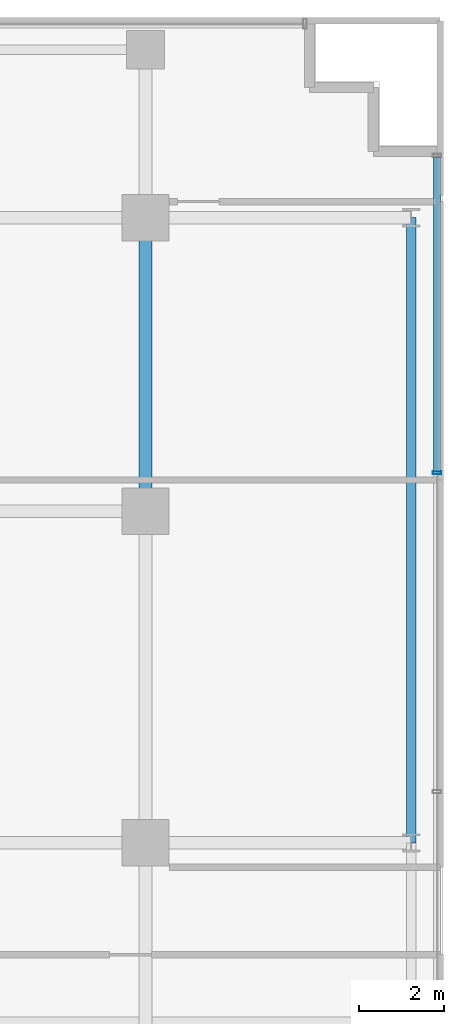
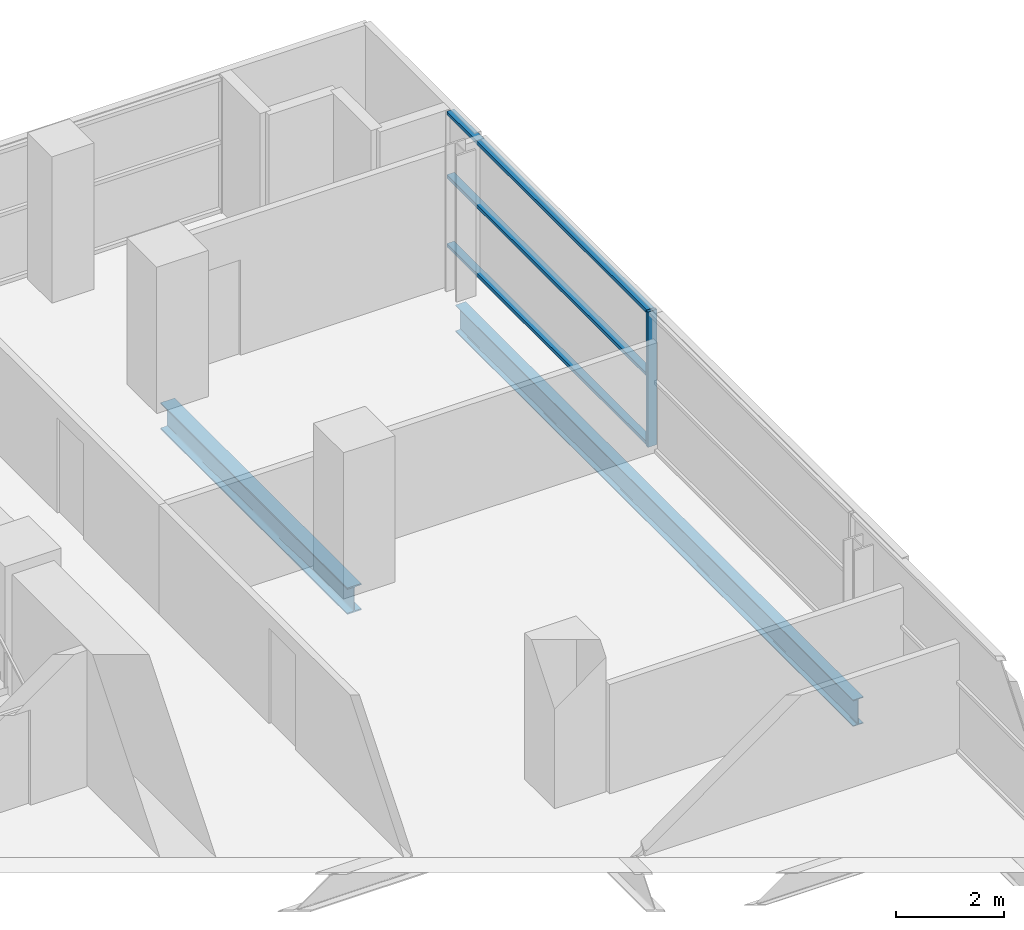
# One storey, part 16 of 30: 4 members, 2 beams, 1 element without a shape of its own.
"""IFC4 building model written with IfcOpenShell, lengths in metres."""

import ifcopenshell
import ifcopenshell.guid

model = None  # the IFC model being written
_history = None  # IfcOwnerHistory: only IFC2X3 demands one
_inside = {}  # id of a spatial element -> (the spatial element, [elements in it])
_under = {}  # id of a project, library or spatial element -> (it, [spatial elements below it])
_declared = {}  # id of a project -> (the project, [libraries it declares])
_typed = {}  # id of a type object -> (the type object, [elements of that type])
_made_of = {}  # id of a material, layer set ... -> (it, [elements and type objects made of it])


def new_model(schema):
    """Start an empty IFC model of exactly this schema.

    Asked for "IFC4X3", IfcOpenShell would pick the latest addendum, in which some entities
    have other attributes; the version numbers below select the first issue.
    IFC2X3 requires an IfcOwnerHistory on every rooted entity: one is made here for all.
    """
    global model, _history
    if schema == "IFC4X3":
        model = ifcopenshell.file(schema_version=(4, 3, 0, 0))
    else:
        model = ifcopenshell.file(schema=schema)
    _inside.clear()
    _under.clear()
    _declared.clear()
    _typed.clear()
    _made_of.clear()
    _history = None
    if model.schema == "IFC2X3":
        org = make("IfcOrganization", Name="unknown")
        user = make(
            "IfcPersonAndOrganization",
            ThePerson=make("IfcPerson", FamilyName="unknown"),
            TheOrganization=org,
        )
        app = make(
            "IfcApplication",
            ApplicationDeveloper=org,
            Version="unknown",
            ApplicationFullName="unknown",
            ApplicationIdentifier="unknown",
        )
        _history = make(
            "IfcOwnerHistory",
            OwningUser=user,
            OwningApplication=app,
            ChangeAction="ADDED",
            CreationDate=0,
        )
    return model


def make(cls, **values):
    """One entity of the class cls with the attributes given. An attribute that is None is left unset."""
    return model.create_entity(
        cls, **{name: value for name, value in values.items() if value is not None}
    )


def rooted(cls, **values):
    """An entity with a GlobalId (a new one), such as an element, a storey or a relation."""
    return make(cls, GlobalId=ifcopenshell.guid.new(), OwnerHistory=_history, **values)


def si_unit(unit_type, name, prefix=None):
    """IfcSIUnit, for example si_unit("LENGTHUNIT", "METRE", prefix="MILLI")."""
    return make("IfcSIUnit", UnitType=unit_type, Prefix=prefix, Name=name)


def assignment(units):
    """IfcUnitAssignment: the units of a project."""
    return None if units is None else make("IfcUnitAssignment", Units=units)


def point(xyz):
    """IfcCartesianPoint."""
    return None if xyz is None else make("IfcCartesianPoint", Coordinates=xyz)


def direction(xyz):
    """IfcDirection."""
    return None if xyz is None else make("IfcDirection", DirectionRatios=xyz)


def frame(location, z_axis=None, x_axis=None):
    """IfcAxis2Placement3D, a coordinate frame: its origin and axes. An axis left out is left unset."""
    return make(
        "IfcAxis2Placement3D",
        Location=point(location),
        Axis=direction(z_axis),
        RefDirection=direction(x_axis),
    )


def frame_2d(location, x_axis=None):
    """IfcAxis2Placement2D, a coordinate frame in the plane: its origin and x axis."""
    return make(
        "IfcAxis2Placement2D", Location=point(location), RefDirection=direction(x_axis)
    )


def origin():
    """The frame at (0, 0, 0) with its axes left unset."""
    return frame((0.0, 0.0, 0.0))


def origin_2d():
    """The frame at (0, 0) in the plane with its x axis left unset."""
    return frame_2d((0.0, 0.0))


def place(relative_to, where):
    """IfcLocalPlacement: puts the frame where relative to a parent placement (None: the world)."""
    return make(
        "IfcLocalPlacement", PlacementRelTo=relative_to, RelativePlacement=where
    )


def context(
    kind, dimensions, precision=None, world=None, true_north=None, identifier=None
):
    """IfcGeometricRepresentationContext, for example the 3D "Model" context."""
    return make(
        "IfcGeometricRepresentationContext",
        ContextIdentifier=identifier,
        ContextType=kind,
        CoordinateSpaceDimension=dimensions,
        Precision=precision,
        WorldCoordinateSystem=world,
        TrueNorth=true_north,
    )


def subcontext(parent, identifier, kind, view, scale=None):
    """IfcGeometricRepresentationSubContext, for example "Body" below "Model"."""
    return make(
        "IfcGeometricRepresentationSubContext",
        ContextIdentifier=identifier,
        ContextType=kind,
        ParentContext=parent,
        TargetScale=scale,
        TargetView=view,
    )


def project(units=None, contexts=None):
    """IfcProject with its units and contexts."""
    return rooted(
        "IfcProject",
        Name="project",
        RepresentationContexts=contexts,
        UnitsInContext=assignment(units),
    )


def spatial(cls, under=None, at=None, **own):
    """A site, building, storey or space (cls), placed at a placement, below another one or the project."""
    s = rooted(cls, ObjectPlacement=at, **own)
    if under is not None:
        _under.setdefault(under.id(), (under, []))[1].append(s)
    return s


def profile(cls, at=None, kind="AREA", **sizes):
    """A parametric profile (cls). Its sizes go by their IFC names, for example OverallWidth=200.0."""
    return make(cls, ProfileType=kind, Position=at, **sizes)


def hollow_rectangle(**sizes):
    """IfcRectangleHollowProfileDef."""
    return profile("IfcRectangleHollowProfileDef", **sizes)


def i_section(**sizes):
    """IfcIShapeProfileDef."""
    return profile("IfcIShapeProfileDef", **sizes)


def extrude(swept, where, along, depth):
    """IfcExtrudedAreaSolid: the profile swept, set in the frame where, extruded along a direction by depth."""
    return make(
        "IfcExtrudedAreaSolid",
        SweptArea=swept,
        Position=where,
        ExtrudedDirection=direction(along),
        Depth=depth,
    )


def shape(context_of_items, identifier, shape_type, items):
    """IfcShapeRepresentation: the items that make up one representation, for example the "Body"."""
    return make(
        "IfcShapeRepresentation",
        ContextOfItems=context_of_items,
        RepresentationIdentifier=identifier,
        RepresentationType=shape_type,
        Items=items,
    )


def source(mapping_origin, context_of_items, identifier, shape_type, items):
    """IfcRepresentationMap: a shape defined once, which mapped items show again and again."""
    return make(
        "IfcRepresentationMap",
        MappingOrigin=mapping_origin,
        MappedRepresentation=shape(context_of_items, identifier, shape_type, items),
    )


def transform(
    local_origin,
    x_axis=None,
    y_axis=None,
    z_axis=None,
    scale=None,
    scale2=None,
    scale3=None,
    uniform=True,
):
    """IfcCartesianTransformationOperator3D, or its non-uniform kind. x_axis, y_axis, z_axis: its Axis1, 2, 3."""
    if uniform:
        return make(
            "IfcCartesianTransformationOperator3D",
            Axis1=direction(x_axis),
            Axis2=direction(y_axis),
            LocalOrigin=point(local_origin),
            Scale=scale,
            Axis3=direction(z_axis),
        )
    return make(
        "IfcCartesianTransformationOperator3DnonUniform",
        Axis1=direction(x_axis),
        Axis2=direction(y_axis),
        LocalOrigin=point(local_origin),
        Scale=scale,
        Axis3=direction(z_axis),
        Scale2=scale2,
        Scale3=scale3,
    )


def mapped(mapping_source, mapping_target):
    """IfcMappedItem: shows the shape of a source again, moved by a transform."""
    return make(
        "IfcMappedItem", MappingSource=mapping_source, MappingTarget=mapping_target
    )


def material(Name=None, Category=None):
    """IfcMaterial."""
    return make("IfcMaterial", Name=Name, Category=Category)


def layer(
    of_material, thickness, ventilated=None, Name=None, Category=None, Priority=None
):
    """IfcMaterialLayer: one layer of a wall or slab, of a material (None: an air gap)."""
    return make(
        "IfcMaterialLayer",
        Material=of_material,
        LayerThickness=thickness,
        IsVentilated=ventilated,
        Name=Name,
        Category=Category,
        Priority=Priority,
    )


def layer_set(layers, Name=None):
    """IfcMaterialLayerSet."""
    return make("IfcMaterialLayerSet", MaterialLayers=layers, LayerSetName=Name)


def material_profile(
    of_material, cross_section, Name=None, Category=None, Priority=None
):
    """IfcMaterialProfile: a cross section and its material."""
    return make(
        "IfcMaterialProfile",
        Name=Name,
        Material=of_material,
        Profile=cross_section,
        Priority=Priority,
        Category=Category,
    )


def profile_set(profiles, Name=None, composite=None):
    """IfcMaterialProfileSet."""
    return make(
        "IfcMaterialProfileSet",
        Name=Name,
        MaterialProfiles=profiles,
        CompositeProfile=composite,
    )


def made_of(thing, what):
    """Note that an element or type object is made of a material, layer set ...; save() writes the relation."""
    if what is not None:
        _made_of.setdefault(what.id(), (what, []))[1].append(thing)
    return thing


def type_object(cls, material=None, **own):
    """A type object (cls), such as IfcWallType, which elements share."""
    return made_of(rooted(cls, **own), material)


def element(
    cls,
    number,
    at=None,
    inside=None,
    cuts=None,
    type_object=None,
    material=None,
    context=None,
    identifier="Body",
    shape_type=None,
    held_by="IfcProductDefinitionShape",
    body=None,
    shapes=None,
    **own,
):
    """One element of the class cls, such as IfcWall. Its Tag is "e" and its number.

    at: its placement. inside: the storey or other place that contains it. cuts: it is an
    opening in that element (IfcRelVoidsElement). A single representation is given by context,
    identifier, shape_type and body (its items); several are given by shapes. held_by: the class
    of the entity that holds the representations. save() writes the other relations.
    """
    e = rooted(cls, Tag="e%d" % number, ObjectPlacement=at, **own)
    if body is not None:
        shapes = [shape(context, identifier, shape_type, body)]
    if shapes is not None:
        e.Representation = make(held_by, Representations=shapes)
    if inside is not None:
        _inside.setdefault(inside.id(), (inside, []))[1].append(e)
    if cuts is not None:
        rooted(
            "IfcRelVoidsElement", RelatingBuildingElement=cuts, RelatedOpeningElement=e
        )
    if type_object is not None:
        _typed.setdefault(type_object.id(), (type_object, []))[1].append(e)
    return made_of(e, material)


def aggregate(whole, parts):
    """IfcRelAggregates: a whole, such as a stair, and the parts it consists of."""
    return rooted("IfcRelAggregates", RelatingObject=whole, RelatedObjects=parts)


def save(model, path):
    """Write the relations noted so far, then the file.

    IfcRelAggregates (storeys below a building ...), IfcRelContainedInSpatialStructure (elements
    in a storey), IfcRelDefinesByType, IfcRelAssociatesMaterial and IfcRelDeclares: one each for
    every whole, place, type object, material and project.
    """
    for whole, parts in _under.values():
        aggregate(whole, parts)
    for where, things in _inside.values():
        rooted(
            "IfcRelContainedInSpatialStructure",
            RelatedElements=things,
            RelatingStructure=where,
        )
    for kind, things in _typed.values():
        rooted("IfcRelDefinesByType", RelatedObjects=things, RelatingType=kind)
    for what, things in _made_of.values():
        rooted("IfcRelAssociatesMaterial", RelatedObjects=things, RelatingMaterial=what)
    for by, libraries in _declared.values():
        rooted("IfcRelDeclares", RelatingContext=by, RelatedDefinitions=libraries)
    model.write(path)


model = new_model("IFC4")

# Units and contexts
model_context = context("Model", 3, precision=1e-05, world=origin(), true_north=direction((0.0, 1.0)))
body_context = subcontext(model_context, "Body", "Model", "MODEL_VIEW")
ifc_project = project(units=[si_unit("LENGTHUNIT", "METRE"), si_unit("AREAUNIT", "SQUARE_METRE"), si_unit("VOLUMEUNIT", "CUBIC_METRE"), si_unit("PLANEANGLEUNIT", "RADIAN"), si_unit("MASSUNIT", "GRAM", prefix="KILO")], contexts=[model_context])

# Site, building, storey
site_placement = place(None, origin())
site = spatial("IfcSite", under=ifc_project, at=site_placement, CompositionType="ELEMENT")
building_placement = place(site_placement, origin())
building = spatial("IfcBuilding", under=site, at=building_placement, Name="Zarnakvel Exchange Tower", CompositionType="ELEMENT")
storey_placement = place(building_placement, frame((0.0, 0.0, 34.0)))
storey = spatial("IfcBuildingStorey", under=building, at=storey_placement, Name="L08", CompositionType="ELEMENT", Elevation=34.0)

# Beams
ifc_material_1 = material(Name="Steel S355", Category="steel")
ifc_material_profile_1 = material_profile(ifc_material_1, i_section(OverallWidth=0.300048828125, OverallDepth=0.60009765625, WebThickness=0.015380859375, FlangeThickness=0.030029296875, FilletRadius=0.027099609375, at=origin_2d()))
ifc_profile_set_1 = profile_set([ifc_material_profile_1], Name="Steel S355")
beam_type_1 = type_object("IfcBeamType", Name="G-04", PredefinedType="BEAM", material=ifc_profile_set_1)
beam_1_placement = place(storey_placement, frame((21.60009765625, 6.60009765625, -0.52490234375), z_axis=(0.0, 1.0, 0.0), x_axis=(-1.0, 0.0, 0.0)))
element("IfcBeam", 1, at=beam_1_placement, inside=storey, type_object=beam_type_1, Name="L08 Tower N-S Frame Beam", PredefinedType="BEAM", context=body_context, shape_type="SweptSolid", body=[
    extrude(i_section(OverallWidth=0.300048828125, OverallDepth=0.60009765625, WebThickness=0.015380859375, FlangeThickness=0.030029296875, FilletRadius=0.027099609375, at=origin_2d()), origin(), (0.0, 0.0, 1.0), 6.89990234375),
])
ifc_material_profile_2 = material_profile(ifc_material_1, i_section(OverallWidth=0.219970703125, OverallDepth=0.60009765625, WebThickness=0.011962890625, FlangeThickness=0.01904296875, FilletRadius=0.02392578125, at=origin_2d()))
ifc_profile_set_2 = profile_set([ifc_material_profile_2], Name="Steel S355")
beam_type_2 = type_object("IfcBeamType", Name="SP-01", PredefinedType="SPANDREL", material=ifc_profile_set_2)
beam_2_placement = place(storey_placement, frame((27.85009765625, -1.199951171875, -0.52490234375), z_axis=(0.0, 1.0, 0.0), x_axis=(-1.0, 0.0, 0.0)))
element("IfcBeam", 2, at=beam_2_placement, inside=storey, type_object=beam_type_2, Name="L08 Tower N-S Frame Beam", PredefinedType="SPANDREL", context=body_context, shape_type="SweptSolid", body=[
    extrude(i_section(OverallWidth=0.219970703125, OverallDepth=0.60009765625, WebThickness=0.011962890625, FlangeThickness=0.01904296875, FilletRadius=0.02392578125, at=origin_2d()), origin(), (0.0, 0.0, 1.0), 14.699951171875),
])

# Curtain wall, members
ifc_material_2 = material(Name="Architectural Bronze Anodised Aluminium", Category="aluminium")
ifc_layer = layer(ifc_material_2, 0.199951171875)
ifc_layer_set = layer_set([ifc_layer], Name="Architectural Bronze Anodised Aluminium")
curtain_wall_type = type_object("IfcCurtainWallType", Name="CW-04", PredefinedType="NOTDEFINED", material=ifc_layer_set)
curtain_wall_placement = place(storey_placement, origin())
curtain_wall = element("IfcCurtainWall", 3, at=curtain_wall_placement, inside=storey, type_object=curtain_wall_type, Name="L08 Curtain Wall CW-L08-E1 (CW-04)", PredefinedType="NOTDEFINED")
ifc_material_profile_3 = material_profile(ifc_material_2, hollow_rectangle(XDim=0.159912109375, YDim=0.074951171875, WallThickness=0.00390625, at=origin_2d()))
ifc_profile_set_3 = profile_set([ifc_material_profile_3], Name="Architectural Bronze Anodised Aluminium")
member_type_1 = type_object("IfcMemberType", Name="CWT-04", PredefinedType="USERDEFINED", material=ifc_profile_set_3)
shared_shape_1 = source(origin(), body_context, "Body", "SweptSolid", [
    extrude(hollow_rectangle(XDim=0.159912109375, YDim=0.074951171875, WallThickness=0.00390625, at=origin_2d()), origin(), (0.0, 0.0, 1.0), 7.387451171875),
])
member_1_placement = place(storey_placement, frame((28.4599609375, 7.53759765625, 0.03759765625), z_axis=(0.0, 1.0, 0.0), x_axis=(-1.0, 0.0, 0.0)))
member_1 = element("IfcMember", 4, at=member_1_placement, type_object=member_type_1, Name="CW-04 transom 4.1", ObjectType="TRANSOM", PredefinedType="USERDEFINED", context=body_context, shape_type="MappedRepresentation", body=[
    mapped(shared_shape_1, transform((0.0, 0.0, 0.0), x_axis=(1.0, 0.0, 0.0), y_axis=(0.0, 1.0, 0.0), z_axis=(0.0, 0.0, 1.0), scale=1.0)),
])
member_2_placement = place(storey_placement, frame((28.4599609375, 7.53759765625, 1.588623046875), z_axis=(0.0, 1.0, 0.0), x_axis=(-1.0, 0.0, 0.0)))
member_2 = element("IfcMember", 5, at=member_2_placement, type_object=member_type_1, Name="CW-04 transom 4.2", ObjectType="TRANSOM", PredefinedType="USERDEFINED", context=body_context, shape_type="MappedRepresentation", body=[
    mapped(shared_shape_1, transform((0.0, 0.0, 0.0), x_axis=(1.0, 0.0, 0.0), y_axis=(0.0, 1.0, 0.0), z_axis=(0.0, 0.0, 1.0), scale=1.0)),
])
member_3_placement = place(storey_placement, frame((28.4599609375, 7.53759765625, 3.017578125), z_axis=(0.0, 1.0, 0.0), x_axis=(-1.0, 0.0, 0.0)))
member_3 = element("IfcMember", 6, at=member_3_placement, type_object=member_type_1, Name="CW-04 transom 4.3", ObjectType="TRANSOM", PredefinedType="USERDEFINED", context=body_context, shape_type="MappedRepresentation", body=[
    mapped(shared_shape_1, transform((0.0, 0.0, 0.0), x_axis=(1.0, 0.0, 0.0), y_axis=(0.0, 1.0, 0.0), z_axis=(0.0, 0.0, 1.0), scale=1.0)),
])
ifc_material_profile_4 = material_profile(ifc_material_2, hollow_rectangle(XDim=0.199951171875, YDim=0.074951171875, WallThickness=0.0048828125, at=origin_2d()))
ifc_profile_set_4 = profile_set([ifc_material_profile_4], Name="Architectural Bronze Anodised Aluminium")
member_type_2 = type_object("IfcMemberType", Name="CWM-04", PredefinedType="MULLION", material=ifc_profile_set_4)
shared_shape_2 = source(origin(), body_context, "Body", "SweptSolid", [
    extrude(hollow_rectangle(XDim=0.199951171875, YDim=0.074951171875, WallThickness=0.0048828125, at=origin_2d()), origin(), (0.0, 0.0, 1.0), 3.054931640625),
])
member_4_placement = place(storey_placement, frame((28.4599609375, 7.5, 0.0), z_axis=(0.0, 0.0, 1.0), x_axis=(-1.0, 0.0, 0.0)))
member_4 = element("IfcMember", 7, at=member_4_placement, type_object=member_type_2, Name="CW-04 mullion 4", PredefinedType="MULLION", context=body_context, shape_type="MappedRepresentation", body=[
    mapped(shared_shape_2, transform((0.0, 0.0, 0.0), x_axis=(1.0, 0.0, 0.0), y_axis=(0.0, 1.0, 0.0), z_axis=(0.0, 0.0, 1.0), scale=1.0)),
])
aggregate(curtain_wall, [member_4, member_1, member_2, member_3])

save(model, "model.ifc")
